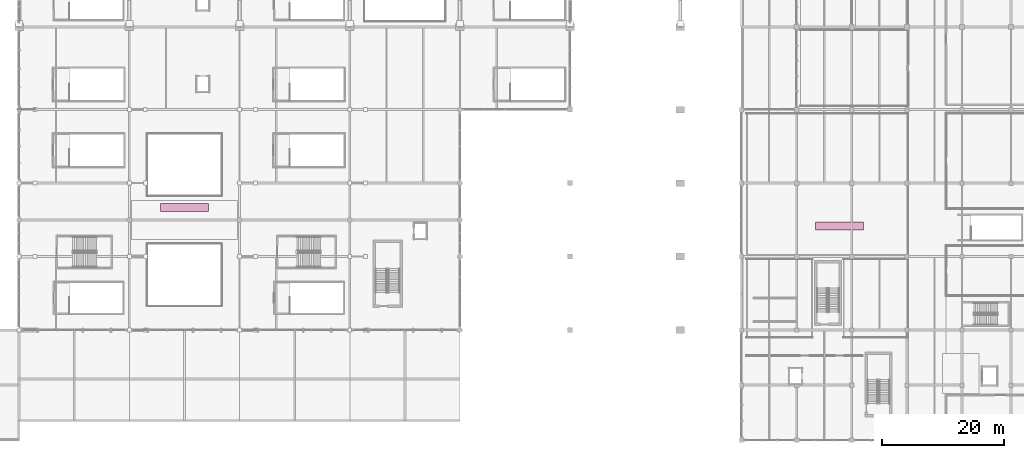
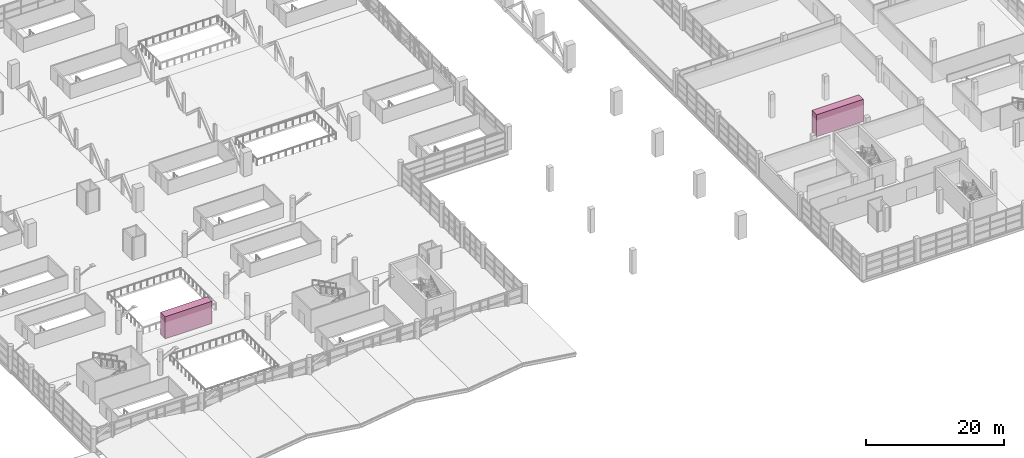
# One storey, part 136 of 136: 2 transport elements.
"""IFC4 building model written with IfcOpenShell, lengths in metres."""

from ifc_helpers import new_model, si_unit, direction, frame, origin, origin_2d, place, context, subcontext, project, spatial, rectangle, extrude, material, type_object, element, save


model = new_model("IFC4")

# Units and contexts
model_context = context("Model", 3, precision=1e-05, world=origin(), true_north=direction((0.0, 1.0)))
body_context = subcontext(model_context, "Body", "Model", "MODEL_VIEW")
ifc_project = project(units=[si_unit("LENGTHUNIT", "METRE"), si_unit("AREAUNIT", "SQUARE_METRE"), si_unit("VOLUMEUNIT", "CUBIC_METRE"), si_unit("PLANEANGLEUNIT", "RADIAN"), si_unit("MASSUNIT", "GRAM", prefix="KILO")], contexts=[model_context])

# Site, building, storey
site_placement = place(None, origin())
site = spatial("IfcSite", under=ifc_project, at=site_placement, CompositionType="ELEMENT")
building_placement = place(site_placement, origin())
building = spatial("IfcBuilding", under=site, at=building_placement, Name="Chuanluo Vaults Station", CompositionType="ELEMENT")
storey_placement = place(building_placement, frame((0.0, 0.0, 6.60009765625)))
storey = spatial("IfcBuildingStorey", under=building, at=storey_placement, Name="L01", CompositionType="ELEMENT", Elevation=6.60009765625)

# Transport elements
ifc_material = material(Name="Brushed stainless steel 304", Category="steel")
transport_element_type = type_object("IfcTransportElementType", Name="TRN-ESC-1000", PredefinedType="ESCALATOR", material=ifc_material)
for number, where, z_axis, x_axis, name in (
    (1, (45.0, 38.0, 0.0), (0.0, 0.0, 1.0), (1.0, 0.0, 0.0), "Passenger escalator ESC-09"),
    (2, (152.0, 35.0, 0.0), (0.0, 0.0, 1.0), (1.0, 0.0, 0.0), "Passenger escalator ESC-10"),
):
    element("IfcTransportElement", number, at=place(storey_placement, frame(where, z_axis=z_axis, x_axis=x_axis)), inside=storey, type_object=transport_element_type, Name=name, PredefinedType="ESCALATOR", context=body_context, shape_type="SweptSolid", body=[
        extrude(rectangle(XDim=7.800048828125, YDim=1.35009765625, at=origin_2d()), origin(), (0.0, 0.0, 1.0), 3.89990234375),
    ])

save(model, "model.ifc")
